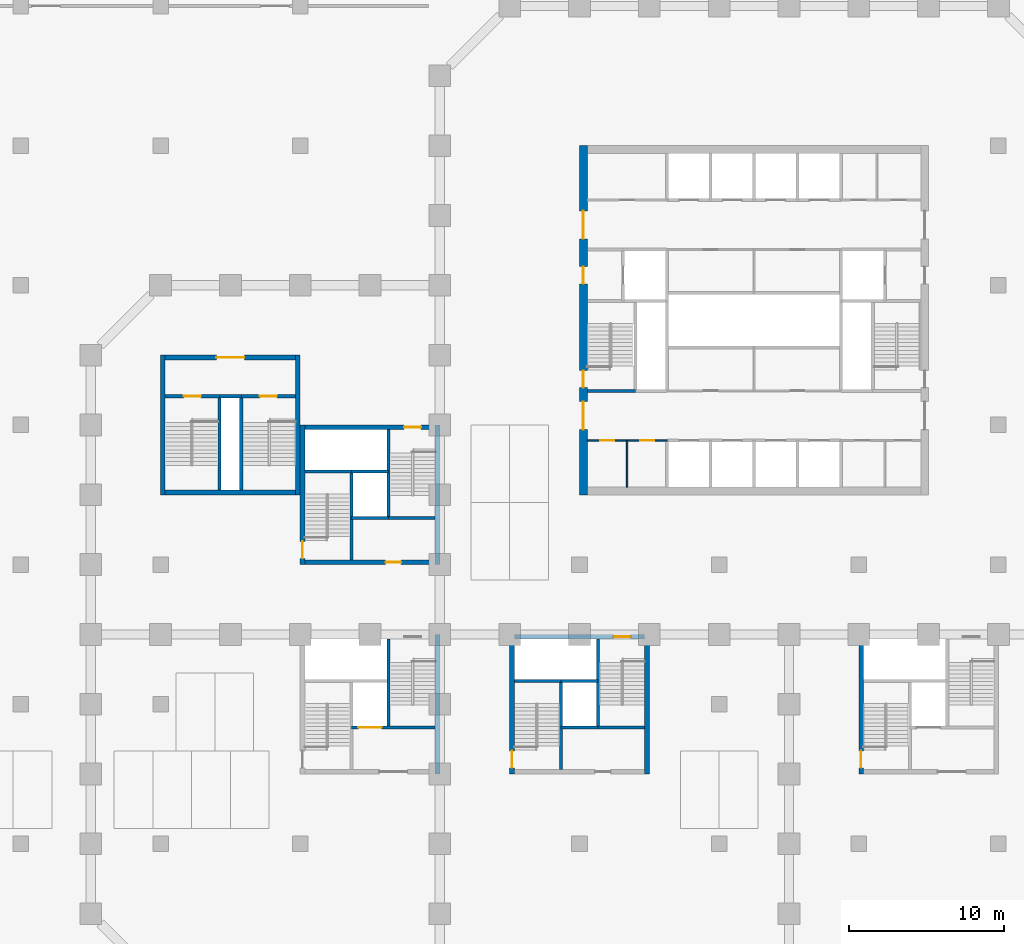
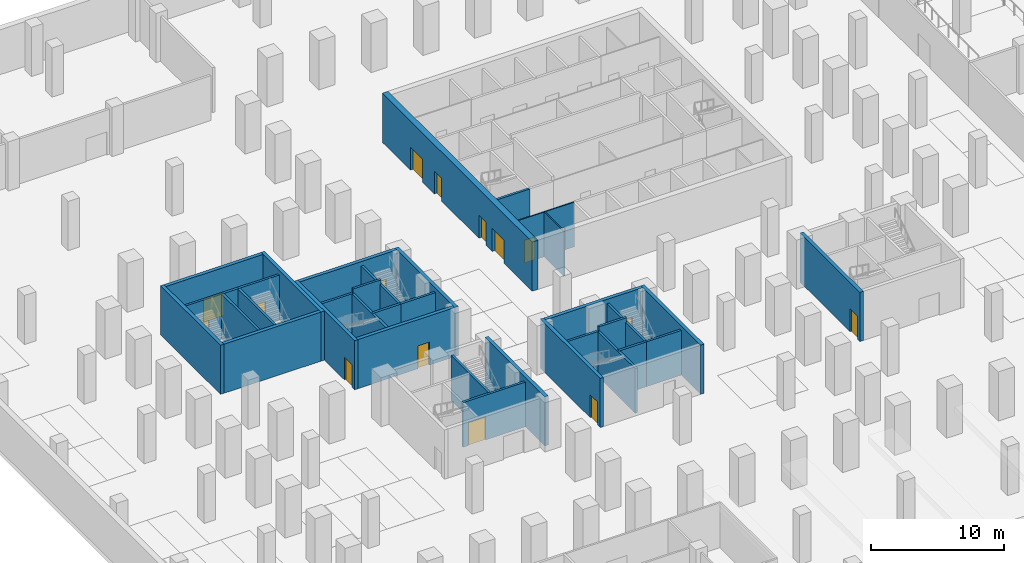
# One storey, part 8 of 16: 36 walls, 16 doors, 16 openings.
"""IFC4 building model written with IfcOpenShell, lengths in metres."""

from ifc_helpers import new_model, si_unit, direction, frame, frame_2d, origin, place, context, subcontext, project, spatial, rectangle, extrude, material, layer, layer_set, type_object, element, fill, save


model = new_model("IFC4")

# Units and contexts
model_context = context("Model", 3, precision=1e-05, world=origin(), true_north=direction((0.0, 1.0)))
body_context = subcontext(model_context, "Body", "Model", "MODEL_VIEW")
ifc_project = project(units=[si_unit("LENGTHUNIT", "METRE"), si_unit("AREAUNIT", "SQUARE_METRE"), si_unit("VOLUMEUNIT", "CUBIC_METRE"), si_unit("PLANEANGLEUNIT", "RADIAN"), si_unit("MASSUNIT", "GRAM", prefix="KILO")], contexts=[model_context])

# Site, building, storey
site_placement = place(None, origin())
site = spatial("IfcSite", under=ifc_project, at=site_placement, CompositionType="ELEMENT")
building_placement = place(site_placement, origin())
building = spatial("IfcBuilding", under=site, at=building_placement, Name="Quoin Convention Tower", CompositionType="ELEMENT")
storey_placement = place(building_placement, frame((0.0, 0.0, -4.5)))
storey = spatial("IfcBuildingStorey", under=building, at=storey_placement, Name="B1", CompositionType="ELEMENT", Elevation=-4.5)

# Wall, openings, doors
ifc_material_1 = material(Name="Plasterboard")
ifc_layer_1 = layer(ifc_material_1, 0.012451171875, Name="Finish")
ifc_material_2 = material(Name="Steel stud framing", Category="steel")
ifc_layer_2 = layer(ifc_material_2, 0.074951171875, Name="Structure")
ifc_layer_3 = layer(ifc_material_1, 0.012451171875, Name="Finish")
ifc_layer_set_1 = layer_set([ifc_layer_1, ifc_layer_2, ifc_layer_3], Name="Steel stud framing")
wall_type_1 = type_object("IfcWallType", Name="Core partition wall", PredefinedType="PARTITIONING", material=ifc_layer_set_1)
wall_1_placement = place(storey_placement, frame((45.5, 53.0, 0.0), z_axis=(0.0, 0.0, 1.0), x_axis=(1.0, 0.0, 0.0)))
wall_1 = element("IfcWall", 1, at=wall_1_placement, inside=storey, type_object=wall_type_1, Name="cr-C1-B1-h3500_500", PredefinedType="PARTITIONING", context=body_context, shape_type="SweptSolid", body=[
    extrude(rectangle(XDim=5.14990234375, YDim=0.10009765625, at=frame_2d((2.574951171875, 0.0))), origin(), (0.0, 0.0, 1.0), 4.10009765625),
])
opening_1_placement = place(wall_1_placement, frame((0.83740234375, 0.0, 0.0)))
opening_1 = element("IfcOpeningElement", 2, at=opening_1_placement, cuts=wall_1, Name="Opening DCV0-49", PredefinedType="OPENING", context=body_context, shape_type="SweptSolid", body=[
    extrude(rectangle(XDim=0.89990234375, YDim=2.10009765625, at=frame_2d((0.449951171875, 1.050048828125))), frame((0.0, 0.06005859375, 0.0), z_axis=(0.0, -1.0, 0.0), x_axis=(1.0, 0.0, 0.0)), (0.0, 0.0, 1.0), 0.1201171875),
])
opening_2_placement = place(wall_1_placement, frame((3.41259765625, 0.0, 0.0)))
opening_2 = element("IfcOpeningElement", 3, at=opening_2_placement, cuts=wall_1, Name="Opening DCV0-50", PredefinedType="OPENING", context=body_context, shape_type="SweptSolid", body=[
    extrude(rectangle(XDim=0.89990234375, YDim=2.10009765625, at=frame_2d((0.449951171875, 1.050048828125))), frame((0.0, 0.06005859375, 0.0), z_axis=(0.0, -1.0, 0.0), x_axis=(1.0, 0.0, 0.0)), (0.0, 0.0, 1.0), 0.1201171875),
])
ifc_material_3 = material(Name="Steel door leaf", Category="steel")
door_type_1 = type_object("IfcDoorType", Name="Core room door 900 x 2100", OperationType="SINGLE_SWING_LEFT", PredefinedType="DOOR", material=ifc_material_3)
door_1_placement = place(opening_1_placement, frame((0.89990234375, 0.0, 0.0), z_axis=(0.0, 0.0, 1.0), x_axis=(-1.0, 0.0, 0.0)))
door_1 = element("IfcDoor", 4, at=door_1_placement, inside=storey, type_object=door_type_1, Name="cd-C1-B1-CSW0-lobA-CDB112", OperationType="SINGLE_SWING_LEFT", OverallHeight=2.10009765625, OverallWidth=0.89990234375, PredefinedType="DOOR", context=body_context, shape_type="SweptSolid", body=[
    extrude(rectangle(XDim=0.89990234375, YDim=2.10009765625, at=frame_2d((0.449951171875, 1.050048828125))), frame((0.0, 0.02490234375, 0.0), z_axis=(0.0, -1.0, 0.0), x_axis=(1.0, 0.0, 0.0)), (0.0, 0.0, 1.0), 0.050048828125),
])
fill(opening_1, door_1)
door_2_placement = place(opening_2_placement, frame((0.89990234375, 0.0, 0.0), z_axis=(0.0, 0.0, 1.0), x_axis=(-1.0, 0.0, 0.0)))
door_2 = element("IfcDoor", 5, at=door_2_placement, inside=storey, type_object=door_type_1, Name="cd-C1-B1-CSW1-lobA-CDB113", OperationType="SINGLE_SWING_LEFT", OverallHeight=2.10009765625, OverallWidth=0.89990234375, PredefinedType="DOOR", context=body_context, shape_type="SweptSolid", body=[
    extrude(rectangle(XDim=0.89990234375, YDim=2.10009765625, at=frame_2d((0.449951171875, 1.050048828125))), frame((0.0, 0.02490234375, 0.0), z_axis=(0.0, -1.0, 0.0), x_axis=(1.0, 0.0, 0.0)), (0.0, 0.0, 1.0), 0.050048828125),
])
fill(opening_2, door_2)

# Walls
wall_2_placement = place(storey_placement, frame((48.074951171875, 50.0, 0.0), z_axis=(0.0, 0.0, 1.0), x_axis=(0.0, 1.0, 0.0)))
element("IfcWall", 6, at=wall_2_placement, inside=storey, type_object=wall_type_1, Name="cr-C1-B1-v3075_500", PredefinedType="PARTITIONING", context=body_context, shape_type="SweptSolid", body=[
    extrude(rectangle(XDim=3.0, YDim=0.10009765625, at=frame_2d((1.5, 0.0))), origin(), (0.0, 0.0, 1.0), 4.10009765625),
])
ifc_material_4 = material(Name="Concrete C50", Category="concrete")
ifc_layer_4 = layer(ifc_material_4, 0.199951171875)
ifc_layer_set_2 = layer_set([ifc_layer_4], Name="Concrete C50")
wall_type_2 = type_object("IfcWallType", Name="Core shaft wall", PredefinedType="SOLIDWALL", material=ifc_layer_set_2)
wall_3_placement = place(storey_placement, frame((45.5, 56.199951171875, 0.0), z_axis=(0.0, 0.0, 1.0), x_axis=(1.0, 0.0, 0.0)))
element("IfcWall", 7, at=wall_3_placement, inside=storey, type_object=wall_type_2, Name="cr-C1-B1-h6700_500", PredefinedType="SOLIDWALL", context=body_context, shape_type="SweptSolid", body=[
    extrude(rectangle(XDim=3.10009765625, YDim=0.199951171875, at=frame_2d((1.550048828125, 0.0))), origin(), (0.0, 0.0, 1.0), 4.10009765625),
])
wall_4_placement = place(storey_placement, frame((30.300048828125, 48.0, 0.0), z_axis=(0.0, 0.0, 1.0), x_axis=(1.0, 0.0, 0.0)))
element("IfcWall", 8, at=wall_4_placement, inside=storey, type_object=wall_type_2, Name="cr-P2-B1-h3000_3300", PredefinedType="SOLIDWALL", context=body_context, shape_type="SweptSolid", body=[
    extrude(rectangle(XDim=2.39990234375, YDim=0.199951171875, at=frame_2d((1.199951171875, 0.0))), origin(), (0.0, 0.0, 1.0), 4.10009765625),
])
for number, where, z_axis, x_axis, name in (
    (9, (32.699951171875, 48.0, 0.0), (0.0, 0.0, 1.0), (1.0, 0.0, 0.0), "cr-P2-B1-h3000_5700"),
    (10, (27.300048828125, 51.0, 0.0), (0.0, 0.0, 1.0), (1.0, 0.0, 0.0), "cr-P2-B1-h6000_300"),
):
    element("IfcWall", number, at=place(storey_placement, frame(where, z_axis=z_axis, x_axis=x_axis)), inside=storey, type_object=wall_type_2, Name=name, PredefinedType="SOLIDWALL", context=body_context, shape_type="SweptSolid", body=[
        extrude(rectangle(XDim=3.0, YDim=0.199951171875, at=frame_2d((1.5, 0.0))), origin(), (0.0, 0.0, 1.0), 4.10009765625),
    ])
for number, where, z_axis, x_axis, name in (
    (11, (30.300048828125, 45.300048828125, 0.0), (0.0, 0.0, 1.0), (0.0, 1.0, 0.0), "cr-P2-B1-v3300_300"),
    (12, (32.699951171875, 48.0, 0.0), (0.0, 0.0, 1.0), (0.0, 1.0, 0.0), "cr-P2-B1-v5700_3000"),
):
    element("IfcWall", number, at=place(storey_placement, frame(where, z_axis=z_axis, x_axis=x_axis)), inside=storey, type_object=wall_type_2, Name=name, PredefinedType="SOLIDWALL", context=body_context, shape_type="SweptSolid", body=[
        extrude(rectangle(XDim=5.699951171875, YDim=0.199951171875, at=frame_2d((2.85009765625, 0.0))), origin(), (0.0, 0.0, 1.0), 4.10009765625),
    ])
wall_5_placement = place(storey_placement, frame((43.800048828125, 34.5, 0.0), z_axis=(0.0, 0.0, 1.0), x_axis=(1.0, 0.0, 0.0)))
element("IfcWall", 13, at=wall_5_placement, inside=storey, type_object=wall_type_2, Name="cr-P3-B1-h3000_3300", PredefinedType="SOLIDWALL", context=body_context, shape_type="SweptSolid", body=[
    extrude(rectangle(XDim=2.39990234375, YDim=0.199951171875, at=frame_2d((1.199951171875, 0.0))), origin(), (0.0, 0.0, 1.0), 4.10009765625),
])
for number, where, z_axis, x_axis, name in (
    (14, (46.199951171875, 34.5, 0.0), (0.0, 0.0, 1.0), (1.0, 0.0, 0.0), "cr-P3-B1-h3000_5700"),
    (15, (40.800048828125, 37.5, 0.0), (0.0, 0.0, 1.0), (1.0, 0.0, 0.0), "cr-P3-B1-h6000_300"),
):
    element("IfcWall", number, at=place(storey_placement, frame(where, z_axis=z_axis, x_axis=x_axis)), inside=storey, type_object=wall_type_2, Name=name, PredefinedType="SOLIDWALL", context=body_context, shape_type="SweptSolid", body=[
        extrude(rectangle(XDim=3.0, YDim=0.199951171875, at=frame_2d((1.5, 0.0))), origin(), (0.0, 0.0, 1.0), 4.10009765625),
    ])
for number, where, z_axis, x_axis, name in (
    (16, (43.800048828125, 31.800048828125, 0.0), (0.0, 0.0, 1.0), (0.0, 1.0, 0.0), "cr-P3-B1-v3300_300"),
    (17, (46.199951171875, 34.5, 0.0), (0.0, 0.0, 1.0), (0.0, 1.0, 0.0), "cr-P3-B1-v5700_3000"),
):
    element("IfcWall", number, at=place(storey_placement, frame(where, z_axis=z_axis, x_axis=x_axis)), inside=storey, type_object=wall_type_2, Name=name, PredefinedType="SOLIDWALL", context=body_context, shape_type="SweptSolid", body=[
        extrude(rectangle(XDim=5.699951171875, YDim=0.199951171875, at=frame_2d((2.85009765625, 0.0))), origin(), (0.0, 0.0, 1.0), 4.10009765625),
    ])

# Wall, opening, door
wall_6_placement = place(storey_placement, frame((30.300048828125, 34.5, 0.0), z_axis=(0.0, 0.0, 1.0), x_axis=(1.0, 0.0, 0.0)))
wall_6 = element("IfcWall", 18, at=wall_6_placement, inside=storey, type_object=wall_type_2, Name="cr-P4-B1-h3000_3300", PredefinedType="SOLIDWALL", context=body_context, shape_type="SweptSolid", body=[
    extrude(rectangle(XDim=5.39990234375, YDim=0.199951171875, at=frame_2d((2.699951171875, 0.0))), origin(), (0.0, 0.0, 1.0), 4.10009765625),
])
opening_3_placement = place(wall_6_placement, frame((0.449951171875, 0.0, 0.0)))
opening_3 = element("IfcOpeningElement", 19, at=opening_3_placement, cuts=wall_6, Name="Opening LDGL1", PredefinedType="OPENING", context=body_context, shape_type="SweptSolid", body=[
    extrude(rectangle(XDim=1.5, YDim=2.10009765625, at=frame_2d((0.75, 1.050048828125))), frame((0.0, 0.10986328125, 0.0), z_axis=(0.0, -1.0, 0.0), x_axis=(1.0, 0.0, 0.0)), (0.0, 0.0, 1.0), 0.219970703125),
])
door_type_2 = type_object("IfcDoorType", Name="Lift landing door 1500 x 2100", OperationType="DOUBLE_DOOR_SLIDING", PredefinedType="DOOR", material=ifc_material_3)
door_3_placement = place(opening_3_placement, origin())
door_3 = element("IfcDoor", 20, at=door_3_placement, inside=storey, type_object=door_type_2, Name="cd-P4-B1-CEN-R2-LDGL1", OperationType="DOUBLE_DOOR_SLIDING", OverallHeight=2.10009765625, OverallWidth=1.5, PredefinedType="DOOR", context=body_context, shape_type="SweptSolid", body=[
    extrude(rectangle(XDim=1.5, YDim=2.10009765625, at=frame_2d((0.75, 1.050048828125))), frame((0.0, 0.02490234375, 0.0), z_axis=(0.0, -1.0, 0.0), x_axis=(1.0, 0.0, 0.0)), (0.0, 0.0, 1.0), 0.050048828125),
])
fill(opening_3, door_3)

# Walls
wall_7_placement = place(storey_placement, frame((32.699951171875, 34.5, 0.0), z_axis=(0.0, 0.0, 1.0), x_axis=(0.0, 1.0, 0.0)))
element("IfcWall", 21, at=wall_7_placement, inside=storey, type_object=wall_type_2, Name="cr-P4-B1-v5700_3000", PredefinedType="SOLIDWALL", context=body_context, shape_type="SweptSolid", body=[
    extrude(rectangle(XDim=5.699951171875, YDim=0.199951171875, at=frame_2d((2.85009765625, 0.0))), origin(), (0.0, 0.0, 1.0), 4.10009765625),
])
wall_8_placement = place(storey_placement, frame((21.800048828125, 55.85009765625, 0.0), z_axis=(0.0, 0.0, 1.0), x_axis=(1.0, 0.0, 0.0)))
element("IfcWall", 22, at=wall_8_placement, inside=storey, type_object=wall_type_2, Name="cr-P6-B1-h6350_3800", PredefinedType="SOLIDWALL", context=body_context, shape_type="SweptSolid", body=[
    extrude(rectangle(XDim=1.39990234375, YDim=0.199951171875, at=frame_2d((0.699951171875, 0.0))), origin(), (0.0, 0.0, 1.0), 4.10009765625),
])

# Wall, opening, door
wall_9_placement = place(storey_placement, frame((18.300048828125, 55.85009765625, 0.0), z_axis=(0.0, 0.0, 1.0), x_axis=(1.0, 0.0, 0.0)))
wall_9 = element("IfcWall", 23, at=wall_9_placement, inside=storey, type_object=wall_type_2, Name="cr-P6-B1-h6350_300", PredefinedType="SOLIDWALL", context=body_context, shape_type="SweptSolid", body=[
    extrude(rectangle(XDim=3.5, YDim=0.199951171875, at=frame_2d((1.75, 0.0))), origin(), (0.0, 0.0, 1.0), 4.10009765625),
])
opening_4_placement = place(wall_9_placement, frame((1.199951171875, 0.0, 0.0)))
opening_4 = element("IfcOpeningElement", 24, at=opening_4_placement, cuts=wall_9, Name="Opening SD11", PredefinedType="OPENING", context=body_context, shape_type="SweptSolid", body=[
    extrude(rectangle(XDim=1.10009765625, YDim=2.10009765625, at=frame_2d((0.550048828125, 1.050048828125))), frame((0.0, 0.10986328125, 0.0), z_axis=(0.0, -1.0, 0.0), x_axis=(1.0, 0.0, 0.0)), (0.0, 0.0, 1.0), 0.219970703125),
])
door_type_3 = type_object("IfcDoorType", Name="Stair door 1100 x 2100", OperationType="SINGLE_SWING_RIGHT", PredefinedType="DOOR", material=ifc_material_3)
door_4_placement = place(opening_4_placement, origin())
door_4 = element("IfcDoor", 25, at=door_4_placement, inside=storey, type_object=door_type_3, Name="cd-P6-B1-SA-R2-SD11", OperationType="SINGLE_SWING_RIGHT", OverallHeight=2.10009765625, OverallWidth=1.10009765625, PredefinedType="DOOR", context=body_context, shape_type="SweptSolid", body=[
    extrude(rectangle(XDim=1.10009765625, YDim=2.10009765625, at=frame_2d((0.550048828125, 1.050048828125))), frame((0.0, 0.02490234375, 0.0), z_axis=(0.0, -1.0, 0.0), x_axis=(1.0, 0.0, 0.0)), (0.0, 0.0, 1.0), 0.050048828125),
])
fill(opening_4, door_4)

wall_10_placement = place(storey_placement, frame((23.199951171875, 55.85009765625, 0.0), z_axis=(0.0, 0.0, 1.0), x_axis=(1.0, 0.0, 0.0)))
wall_10 = element("IfcWall", 26, at=wall_10_placement, inside=storey, type_object=wall_type_2, Name="cr-P6-B1-h6350_5200", PredefinedType="SOLIDWALL", context=body_context, shape_type="SweptSolid", body=[
    extrude(rectangle(XDim=3.5, YDim=0.199951171875, at=frame_2d((1.75, 0.0))), origin(), (0.0, 0.0, 1.0), 4.10009765625),
])
opening_5_placement = place(wall_10_placement, frame((1.199951171875, 0.0, 0.0)))
opening_5 = element("IfcOpeningElement", 27, at=opening_5_placement, cuts=wall_10, Name="Opening SD12", PredefinedType="OPENING", context=body_context, shape_type="SweptSolid", body=[
    extrude(rectangle(XDim=1.10009765625, YDim=2.10009765625, at=frame_2d((0.550048828125, 1.050048828125))), frame((0.0, 0.10986328125, 0.0), z_axis=(0.0, -1.0, 0.0), x_axis=(1.0, 0.0, 0.0)), (0.0, 0.0, 1.0), 0.219970703125),
])
door_5_placement = place(opening_5_placement, origin())
door_5 = element("IfcDoor", 28, at=door_5_placement, inside=storey, type_object=door_type_3, Name="cd-P6-B1-SB-R2-SD12", OperationType="SINGLE_SWING_RIGHT", OverallHeight=2.10009765625, OverallWidth=1.10009765625, PredefinedType="DOOR", context=body_context, shape_type="SweptSolid", body=[
    extrude(rectangle(XDim=1.10009765625, YDim=2.10009765625, at=frame_2d((0.550048828125, 1.050048828125))), frame((0.0, 0.02490234375, 0.0), z_axis=(0.0, -1.0, 0.0), x_axis=(1.0, 0.0, 0.0)), (0.0, 0.0, 1.0), 0.050048828125),
])
fill(opening_5, door_5)

# Walls
for number, where, z_axis, x_axis, name in (
    (29, (21.800048828125, 49.800048828125, 0.0), (0.0, 0.0, 1.0), (0.0, 1.0, 0.0), "cr-P6-B1-v3800_300"),
    (30, (23.199951171875, 49.800048828125, 0.0), (0.0, 0.0, 1.0), (0.0, 1.0, 0.0), "cr-P6-B1-v5200_300"),
):
    element("IfcWall", number, at=place(storey_placement, frame(where, z_axis=z_axis, x_axis=x_axis)), inside=storey, type_object=wall_type_2, Name=name, PredefinedType="SOLIDWALL", context=body_context, shape_type="SweptSolid", body=[
        extrude(rectangle(XDim=6.050048828125, YDim=0.199951171875, at=frame_2d((3.02490234375, 0.0))), origin(), (0.0, 0.0, 1.0), 4.10009765625),
    ])
ifc_layer_5 = layer(ifc_material_4, 0.199951171875)
ifc_layer_set_3 = layer_set([ifc_layer_5], Name="Concrete C50")
wall_type_3 = type_object("IfcWallType", Name="Core shaft wall to the floor level over", PredefinedType="SOLIDWALL", material=ifc_layer_set_3)
for number, where, z_axis, x_axis, name in (
    (31, (30.300048828125, 51.0, 0.0), (0.0, 0.0, 1.0), (1.0, 0.0, 0.0), "cr-P2-B1-h6000_3300"),
    (32, (43.800048828125, 37.5, 0.0), (0.0, 0.0, 1.0), (1.0, 0.0, 0.0), "cr-P3-B1-h6000_3300"),
):
    element("IfcWall", number, at=place(storey_placement, frame(where, z_axis=z_axis, x_axis=x_axis)), inside=storey, type_object=wall_type_3, Name=name, PredefinedType="SOLIDWALL", context=body_context, shape_type="SweptSolid", body=[
        extrude(rectangle(XDim=2.39990234375, YDim=0.199951171875, at=frame_2d((1.199951171875, 0.0))), origin(), (0.0, 0.0, 1.0), 4.5),
    ])

# Wall, opening, door
ifc_material_5 = material(Name="Concrete C100 (100 MPa)", Category="concrete")
ifc_layer_6 = layer(ifc_material_5, 0.300048828125)
ifc_layer_set_4 = layer_set([ifc_layer_6], Name="Concrete C100 (100 MPa)")
wall_type_4 = type_object("IfcWallType", Name="RC CORE WALL 300 C100", PredefinedType="SHEAR", material=ifc_layer_set_4)
wall_11_placement = place(storey_placement, frame((27.300048828125, 45.14990234375, 0.0), z_axis=(0.0, 0.0, 1.0), x_axis=(1.0, 0.0, 0.0)))
wall_11 = element("IfcWall", 33, at=wall_11_placement, inside=storey, type_object=wall_type_4, Name="cwl-P2-B1-S", PredefinedType="SHEAR", context=body_context, shape_type="SweptSolid", body=[
    extrude(rectangle(XDim=8.39990234375, YDim=0.300048828125, at=frame_2d((4.199951171875, 0.0))), origin(), (0.0, 0.0, 1.0), 4.5),
])
opening_6_placement = place(wall_11_placement, frame((5.199951171875, 0.0, 0.0)))
opening_6 = element("IfcOpeningElement", 34, at=opening_6_placement, cuts=wall_11, Name="Opening DCV0-60", PredefinedType="OPENING", context=body_context, shape_type="SweptSolid", body=[
    extrude(rectangle(XDim=1.0, YDim=2.10009765625, at=frame_2d((0.5, 1.050048828125))), frame((0.0, 0.159912109375, 0.0), z_axis=(0.0, -1.0, 0.0), x_axis=(1.0, 0.0, 0.0)), (0.0, 0.0, 1.0), 0.320068359375),
])
door_type_4 = type_object("IfcDoorType", Name="Service door 1000 x 2100", OperationType="SINGLE_SWING_LEFT", PredefinedType="DOOR", material=ifc_material_3)
door_6_placement = place(opening_6_placement, frame((1.0, 0.0, 0.0), z_axis=(0.0, 0.0, 1.0), x_axis=(-1.0, 0.0, 0.0)))
door_6 = element("IfcDoor", 35, at=door_6_placement, inside=storey, type_object=door_type_4, Name="cd-P2-B1-R2-S", OperationType="SINGLE_SWING_LEFT", OverallHeight=2.10009765625, OverallWidth=1.0, PredefinedType="DOOR", context=body_context, shape_type="SweptSolid", body=[
    extrude(rectangle(XDim=1.0, YDim=2.10009765625, at=frame_2d((0.5, 1.050048828125))), frame((0.0, 0.02490234375, 0.0), z_axis=(0.0, -1.0, 0.0), x_axis=(1.0, 0.0, 0.0)), (0.0, 0.0, 1.0), 0.050048828125),
])
fill(opening_6, door_6)

wall_12_placement = place(storey_placement, frame((27.300048828125, 53.85009765625, 0.0), z_axis=(0.0, 0.0, 1.0), x_axis=(1.0, 0.0, 0.0)))
wall_12 = element("IfcWall", 36, at=wall_12_placement, inside=storey, type_object=wall_type_4, Name="cwl-P2-B1-N", PredefinedType="SHEAR", context=body_context, shape_type="SweptSolid", body=[
    extrude(rectangle(XDim=8.39990234375, YDim=0.300048828125, at=frame_2d((4.199951171875, 0.0))), origin(), (0.0, 0.0, 1.0), 4.5),
])
opening_7_placement = place(wall_12_placement, frame((6.39990234375, 0.0, 0.0)))
opening_7 = element("IfcOpeningElement", 37, at=opening_7_placement, cuts=wall_12, Name="Opening SD4", PredefinedType="OPENING", context=body_context, shape_type="SweptSolid", body=[
    extrude(rectangle(XDim=1.10009765625, YDim=2.10009765625, at=frame_2d((0.550048828125, 1.050048828125))), frame((0.0, 0.159912109375, 0.0), z_axis=(0.0, -1.0, 0.0), x_axis=(1.0, 0.0, 0.0)), (0.0, 0.0, 1.0), 0.320068359375),
])
door_7_placement = place(opening_7_placement, frame((1.10009765625, 0.0, 0.0), z_axis=(0.0, 0.0, 1.0), x_axis=(-1.0, 0.0, 0.0)))
door_7 = element("IfcDoor", 38, at=door_7_placement, inside=storey, type_object=door_type_3, Name="cd-P2-B1-SB-N", OperationType="SINGLE_SWING_LEFT", OverallHeight=2.10009765625, OverallWidth=1.10009765625, PredefinedType="DOOR", context=body_context, shape_type="SweptSolid", body=[
    extrude(rectangle(XDim=1.10009765625, YDim=2.10009765625, at=frame_2d((0.550048828125, 1.050048828125))), frame((0.0, 0.02490234375, 0.0), z_axis=(0.0, -1.0, 0.0), x_axis=(1.0, 0.0, 0.0)), (0.0, 0.0, 1.0), 0.050048828125),
])
fill(opening_7, door_7)

wall_13_placement = place(storey_placement, frame((27.14990234375, 45.0, 0.0), z_axis=(0.0, 0.0, 1.0), x_axis=(0.0, 1.0, 0.0)))
wall_13 = element("IfcWall", 39, at=wall_13_placement, inside=storey, type_object=wall_type_4, Name="cwl-P2-B1-W", PredefinedType="SHEAR", context=body_context, shape_type="SweptSolid", body=[
    extrude(rectangle(XDim=9.0, YDim=0.300048828125, at=frame_2d((4.5, 0.0))), origin(), (0.0, 0.0, 1.0), 4.5),
])
opening_8_placement = place(wall_13_placement, frame((0.39990234375, 0.0, 0.0)))
opening_8 = element("IfcOpeningElement", 40, at=opening_8_placement, cuts=wall_13, Name="Opening SD3", PredefinedType="OPENING", context=body_context, shape_type="SweptSolid", body=[
    extrude(rectangle(XDim=1.10009765625, YDim=2.10009765625, at=frame_2d((0.550048828125, 1.050048828125))), frame((0.0, 0.159912109375, 0.0), z_axis=(0.0, -1.0, 0.0), x_axis=(1.0, 0.0, 0.0)), (0.0, 0.0, 1.0), 0.320068359375),
])
door_8_placement = place(opening_8_placement, frame((1.10009765625, 0.0, 0.0), z_axis=(0.0, 0.0, 1.0), x_axis=(-1.0, 0.0, 0.0)))
door_8 = element("IfcDoor", 41, at=door_8_placement, inside=storey, type_object=door_type_3, Name="cd-P2-B1-SA-W", OperationType="SINGLE_SWING_RIGHT", OverallHeight=2.10009765625, OverallWidth=1.10009765625, PredefinedType="DOOR", context=body_context, shape_type="SweptSolid", body=[
    extrude(rectangle(XDim=1.10009765625, YDim=2.10009765625, at=frame_2d((0.550048828125, 1.050048828125))), frame((0.0, 0.02490234375, 0.0), z_axis=(0.0, -1.0, 0.0), x_axis=(1.0, 0.0, 0.0)), (0.0, 0.0, 1.0), 0.050048828125),
])
fill(opening_8, door_8)

# Wall
wall_14_placement = place(storey_placement, frame((35.85009765625, 45.0, 0.0), z_axis=(0.0, 0.0, 1.0), x_axis=(0.0, 1.0, 0.0)))
element("IfcWall", 42, at=wall_14_placement, inside=storey, type_object=wall_type_4, Name="cwl-P2-B1-E", PredefinedType="SHEAR", context=body_context, shape_type="SweptSolid", body=[
    extrude(rectangle(XDim=9.0, YDim=0.300048828125, at=frame_2d((4.5, 0.0))), origin(), (0.0, 0.0, 1.0), 4.5),
])

# Wall, opening, door
wall_15_placement = place(storey_placement, frame((40.800048828125, 40.35009765625, 0.0), z_axis=(0.0, 0.0, 1.0), x_axis=(1.0, 0.0, 0.0)))
wall_15 = element("IfcWall", 43, at=wall_15_placement, inside=storey, type_object=wall_type_4, Name="cwl-P3-B1-N", PredefinedType="SHEAR", context=body_context, shape_type="SweptSolid", body=[
    extrude(rectangle(XDim=8.39990234375, YDim=0.300048828125, at=frame_2d((4.199951171875, 0.0))), origin(), (0.0, 0.0, 1.0), 4.5),
])
opening_9_placement = place(wall_15_placement, frame((6.39990234375, 0.0, 0.0)))
opening_9 = element("IfcOpeningElement", 44, at=opening_9_placement, cuts=wall_15, Name="Opening SD6", PredefinedType="OPENING", context=body_context, shape_type="SweptSolid", body=[
    extrude(rectangle(XDim=1.10009765625, YDim=2.10009765625, at=frame_2d((0.550048828125, 1.050048828125))), frame((0.0, 0.159912109375, 0.0), z_axis=(0.0, -1.0, 0.0), x_axis=(1.0, 0.0, 0.0)), (0.0, 0.0, 1.0), 0.320068359375),
])
door_9_placement = place(opening_9_placement, frame((1.10009765625, 0.0, 0.0), z_axis=(0.0, 0.0, 1.0), x_axis=(-1.0, 0.0, 0.0)))
door_9 = element("IfcDoor", 45, at=door_9_placement, inside=storey, type_object=door_type_3, Name="cd-P3-B1-SB-N", OperationType="SINGLE_SWING_LEFT", OverallHeight=2.10009765625, OverallWidth=1.10009765625, PredefinedType="DOOR", context=body_context, shape_type="SweptSolid", body=[
    extrude(rectangle(XDim=1.10009765625, YDim=2.10009765625, at=frame_2d((0.550048828125, 1.050048828125))), frame((0.0, 0.02490234375, 0.0), z_axis=(0.0, -1.0, 0.0), x_axis=(1.0, 0.0, 0.0)), (0.0, 0.0, 1.0), 0.050048828125),
])
fill(opening_9, door_9)

wall_16_placement = place(storey_placement, frame((40.64990234375, 31.5, 0.0), z_axis=(0.0, 0.0, 1.0), x_axis=(0.0, 1.0, 0.0)))
wall_16 = element("IfcWall", 46, at=wall_16_placement, inside=storey, type_object=wall_type_4, Name="cwl-P3-B1-W", PredefinedType="SHEAR", context=body_context, shape_type="SweptSolid", body=[
    extrude(rectangle(XDim=9.0, YDim=0.300048828125, at=frame_2d((4.5, 0.0))), origin(), (0.0, 0.0, 1.0), 4.5),
])
opening_10_placement = place(wall_16_placement, frame((0.39990234375, 0.0, 0.0)))
opening_10 = element("IfcOpeningElement", 47, at=opening_10_placement, cuts=wall_16, Name="Opening SD5", PredefinedType="OPENING", context=body_context, shape_type="SweptSolid", body=[
    extrude(rectangle(XDim=1.10009765625, YDim=2.10009765625, at=frame_2d((0.550048828125, 1.050048828125))), frame((0.0, 0.159912109375, 0.0), z_axis=(0.0, -1.0, 0.0), x_axis=(1.0, 0.0, 0.0)), (0.0, 0.0, 1.0), 0.320068359375),
])
door_10_placement = place(opening_10_placement, frame((1.10009765625, 0.0, 0.0), z_axis=(0.0, 0.0, 1.0), x_axis=(-1.0, 0.0, 0.0)))
door_10 = element("IfcDoor", 48, at=door_10_placement, inside=storey, type_object=door_type_3, Name="cd-P3-B1-SA-W", OperationType="SINGLE_SWING_RIGHT", OverallHeight=2.10009765625, OverallWidth=1.10009765625, PredefinedType="DOOR", context=body_context, shape_type="SweptSolid", body=[
    extrude(rectangle(XDim=1.10009765625, YDim=2.10009765625, at=frame_2d((0.550048828125, 1.050048828125))), frame((0.0, 0.02490234375, 0.0), z_axis=(0.0, -1.0, 0.0), x_axis=(1.0, 0.0, 0.0)), (0.0, 0.0, 1.0), 0.050048828125),
])
fill(opening_10, door_10)

# Walls
for number, where, z_axis, x_axis, name in (
    (49, (49.35009765625, 31.5, 0.0), (0.0, 0.0, 1.0), (0.0, 1.0, 0.0), "cwl-P3-B1-E"),
    (50, (35.85009765625, 31.5, 0.0), (0.0, 0.0, 1.0), (0.0, 1.0, 0.0), "cwl-P4-B1-E"),
):
    element("IfcWall", number, at=place(storey_placement, frame(where, z_axis=z_axis, x_axis=x_axis)), inside=storey, type_object=wall_type_4, Name=name, PredefinedType="SHEAR", context=body_context, shape_type="SweptSolid", body=[
        extrude(rectangle(XDim=9.0, YDim=0.300048828125, at=frame_2d((4.5, 0.0))), origin(), (0.0, 0.0, 1.0), 4.5),
    ])

# Wall, opening, door
wall_17_placement = place(storey_placement, frame((63.14990234375, 31.5, 0.0), z_axis=(0.0, 0.0, 1.0), x_axis=(0.0, 1.0, 0.0)))
wall_17 = element("IfcWall", 51, at=wall_17_placement, inside=storey, type_object=wall_type_4, Name="cwl-P5-B1-W", PredefinedType="SHEAR", context=body_context, shape_type="SweptSolid", body=[
    extrude(rectangle(XDim=9.0, YDim=0.300048828125, at=frame_2d((4.5, 0.0))), origin(), (0.0, 0.0, 1.0), 4.5),
])
opening_11_placement = place(wall_17_placement, frame((0.39990234375, 0.0, 0.0)))
opening_11 = element("IfcOpeningElement", 52, at=opening_11_placement, cuts=wall_17, Name="Opening SD9", PredefinedType="OPENING", context=body_context, shape_type="SweptSolid", body=[
    extrude(rectangle(XDim=1.10009765625, YDim=2.10009765625, at=frame_2d((0.550048828125, 1.050048828125))), frame((0.0, 0.159912109375, 0.0), z_axis=(0.0, -1.0, 0.0), x_axis=(1.0, 0.0, 0.0)), (0.0, 0.0, 1.0), 0.320068359375),
])
door_11_placement = place(opening_11_placement, frame((1.10009765625, 0.0, 0.0), z_axis=(0.0, 0.0, 1.0), x_axis=(-1.0, 0.0, 0.0)))
door_11 = element("IfcDoor", 53, at=door_11_placement, inside=storey, type_object=door_type_3, Name="cd-P5-B1-SA-W", OperationType="SINGLE_SWING_RIGHT", OverallHeight=2.10009765625, OverallWidth=1.10009765625, PredefinedType="DOOR", context=body_context, shape_type="SweptSolid", body=[
    extrude(rectangle(XDim=1.10009765625, YDim=2.10009765625, at=frame_2d((0.550048828125, 1.050048828125))), frame((0.0, 0.02490234375, 0.0), z_axis=(0.0, -1.0, 0.0), x_axis=(1.0, 0.0, 0.0)), (0.0, 0.0, 1.0), 0.050048828125),
])
fill(opening_11, door_11)

# Wall
wall_18_placement = place(storey_placement, frame((18.300048828125, 49.64990234375, 0.0), z_axis=(0.0, 0.0, 1.0), x_axis=(1.0, 0.0, 0.0)))
element("IfcWall", 54, at=wall_18_placement, inside=storey, type_object=wall_type_4, Name="cwl-P6-B1-S", PredefinedType="SHEAR", context=body_context, shape_type="SweptSolid", body=[
    extrude(rectangle(XDim=8.39990234375, YDim=0.300048828125, at=frame_2d((4.199951171875, 0.0))), origin(), (0.0, 0.0, 1.0), 4.5),
])

# Wall, opening, door
wall_19_placement = place(storey_placement, frame((18.300048828125, 58.35009765625, 0.0), z_axis=(0.0, 0.0, 1.0), x_axis=(1.0, 0.0, 0.0)))
wall_19 = element("IfcWall", 55, at=wall_19_placement, inside=storey, type_object=wall_type_4, Name="cwl-P6-B1-N", PredefinedType="SHEAR", context=body_context, shape_type="SweptSolid", body=[
    extrude(rectangle(XDim=8.39990234375, YDim=0.300048828125, at=frame_2d((4.199951171875, 0.0))), origin(), (0.0, 0.0, 1.0), 4.5),
])
opening_12_placement = place(wall_19_placement, frame((3.300048828125, 0.0, 0.0)))
opening_12 = element("IfcOpeningElement", 56, at=opening_12_placement, cuts=wall_19, Name="Opening DCV0-65", PredefinedType="OPENING", context=body_context, shape_type="SweptSolid", body=[
    extrude(rectangle(XDim=1.800048828125, YDim=2.10009765625, at=frame_2d((0.89990234375, 1.050048828125))), frame((0.0, 0.159912109375, 0.0), z_axis=(0.0, -1.0, 0.0), x_axis=(1.0, 0.0, 0.0)), (0.0, 0.0, 1.0), 0.320068359375),
])
door_type_5 = type_object("IfcDoorType", Name="Goods lobby door 1800 x 2100", OperationType="SINGLE_SWING_LEFT", PredefinedType="DOOR", material=ifc_material_3)
door_12_placement = place(opening_12_placement, frame((1.800048828125, 0.0, 0.0), z_axis=(0.0, 0.0, 1.0), x_axis=(-1.0, 0.0, 0.0)))
door_12 = element("IfcDoor", 57, at=door_12_placement, inside=storey, type_object=door_type_5, Name="cd-P6-B1-R2-N", OperationType="SINGLE_SWING_LEFT", OverallHeight=2.10009765625, OverallWidth=1.800048828125, PredefinedType="DOOR", context=body_context, shape_type="SweptSolid", body=[
    extrude(rectangle(XDim=1.800048828125, YDim=2.10009765625, at=frame_2d((0.89990234375, 1.050048828125))), frame((0.0, 0.02490234375, 0.0), z_axis=(0.0, -1.0, 0.0), x_axis=(1.0, 0.0, 0.0)), (0.0, 0.0, 1.0), 0.050048828125),
])
fill(opening_12, door_12)

# Walls
for number, where, z_axis, x_axis, name in (
    (58, (18.14990234375, 49.5, 0.0), (0.0, 0.0, 1.0), (0.0, 1.0, 0.0), "cwl-P6-B1-W"),
    (59, (26.85009765625, 49.5, 0.0), (0.0, 0.0, 1.0), (0.0, 1.0, 0.0), "cwl-P6-B1-E"),
):
    element("IfcWall", number, at=place(storey_placement, frame(where, z_axis=z_axis, x_axis=x_axis)), inside=storey, type_object=wall_type_4, Name=name, PredefinedType="SHEAR", context=body_context, shape_type="SweptSolid", body=[
        extrude(rectangle(XDim=9.0, YDim=0.300048828125, at=frame_2d((4.5, 0.0))), origin(), (0.0, 0.0, 1.0), 4.5),
    ])

# Wall, openings, doors
ifc_layer_7 = layer(ifc_material_5, 0.5)
ifc_layer_set_5 = layer_set([ifc_layer_7], Name="Concrete C100 (100 MPa)")
wall_type_5 = type_object("IfcWallType", Name="RC CORE WALL 500 C100", PredefinedType="SHEAR", material=ifc_layer_set_5)
wall_20_placement = place(storey_placement, frame((45.25, 49.5, 0.0), z_axis=(0.0, 0.0, 1.0), x_axis=(0.0, 1.0, 0.0)))
wall_20 = element("IfcWall", 60, at=wall_20_placement, inside=storey, type_object=wall_type_5, Name="cwl-C1-B1-W", PredefinedType="SHEAR", context=body_context, shape_type="SweptSolid", body=[
    extrude(rectangle(XDim=22.5, YDim=0.5, at=frame_2d((11.25, 0.0))), origin(), (0.0, 0.0, 1.0), 4.5),
])
opening_13_placement = place(wall_20_placement, frame((4.199951171875, 0.0, 0.0)))
opening_13 = element("IfcOpeningElement", 61, at=opening_13_placement, cuts=wall_20, Name="Opening DCV0-59", PredefinedType="OPENING", context=body_context, shape_type="SweptSolid", body=[
    extrude(rectangle(XDim=1.800048828125, YDim=2.10009765625, at=frame_2d((0.89990234375, 1.050048828125))), frame((0.0, 0.260009765625, 0.0), z_axis=(0.0, -1.0, 0.0), x_axis=(1.0, 0.0, 0.0)), (0.0, 0.0, 1.0), 0.52001953125),
])
opening_14_placement = place(wall_20_placement, frame((6.89990234375, 0.0, 0.0)))
opening_14 = element("IfcOpeningElement", 62, at=opening_14_placement, cuts=wall_20, Name="Opening SD1", PredefinedType="OPENING", context=body_context, shape_type="SweptSolid", body=[
    extrude(rectangle(XDim=1.10009765625, YDim=2.10009765625, at=frame_2d((0.550048828125, 1.050048828125))), frame((0.0, 0.260009765625, 0.0), z_axis=(0.0, -1.0, 0.0), x_axis=(1.0, 0.0, 0.0)), (0.0, 0.0, 1.0), 0.52001953125),
])
opening_15_placement = place(wall_20_placement, frame((13.60009765625, 0.0, 0.0)))
opening_15 = element("IfcOpeningElement", 63, at=opening_15_placement, cuts=wall_20, Name="Opening DCV0-58", PredefinedType="OPENING", context=body_context, shape_type="SweptSolid", body=[
    extrude(rectangle(XDim=1.10009765625, YDim=2.10009765625, at=frame_2d((0.550048828125, 1.050048828125))), frame((0.0, 0.260009765625, 0.0), z_axis=(0.0, -1.0, 0.0), x_axis=(1.0, 0.0, 0.0)), (0.0, 0.0, 1.0), 0.52001953125),
])
opening_16_placement = place(wall_20_placement, frame((16.5, 0.0, 0.0)))
opening_16 = element("IfcOpeningElement", 64, at=opening_16_placement, cuts=wall_20, Name="Opening DCV0-59", PredefinedType="OPENING", context=body_context, shape_type="SweptSolid", body=[
    extrude(rectangle(XDim=1.800048828125, YDim=2.10009765625, at=frame_2d((0.89990234375, 1.050048828125))), frame((0.0, 0.260009765625, 0.0), z_axis=(0.0, -1.0, 0.0), x_axis=(1.0, 0.0, 0.0)), (0.0, 0.0, 1.0), 0.52001953125),
])
door_type_6 = type_object("IfcDoorType", Name="Fire-fighting lobby door 1100 x 2100", OperationType="SINGLE_SWING_LEFT", PredefinedType="DOOR", material=ifc_material_3)
door_13_placement = place(opening_15_placement, origin())
door_13 = element("IfcDoor", 65, at=door_13_placement, inside=storey, type_object=door_type_6, Name="cd-C1-B1-FFW-W", OperationType="SINGLE_SWING_RIGHT", OverallHeight=2.10009765625, OverallWidth=1.10009765625, PredefinedType="DOOR", context=body_context, shape_type="SweptSolid", body=[
    extrude(rectangle(XDim=1.10009765625, YDim=2.10009765625, at=frame_2d((0.550048828125, 1.050048828125))), frame((0.0, 0.02490234375, 0.0), z_axis=(0.0, -1.0, 0.0), x_axis=(1.0, 0.0, 0.0)), (0.0, 0.0, 1.0), 0.050048828125),
])
fill(opening_15, door_13)
door_type_7 = type_object("IfcDoorType", Name="Lift lobby door 1800 x 2100", OperationType="SINGLE_SWING_LEFT", PredefinedType="DOOR", material=ifc_material_3)
door_14_placement = place(opening_13_placement, origin())
door_14 = element("IfcDoor", 66, at=door_14_placement, inside=storey, type_object=door_type_7, Name="cd-C1-B1-lobA-W", OperationType="SINGLE_SWING_LEFT", OverallHeight=2.10009765625, OverallWidth=1.800048828125, PredefinedType="DOOR", context=body_context, shape_type="SweptSolid", body=[
    extrude(rectangle(XDim=1.800048828125, YDim=2.10009765625, at=frame_2d((0.89990234375, 1.050048828125))), frame((0.0, 0.02490234375, 0.0), z_axis=(0.0, -1.0, 0.0), x_axis=(1.0, 0.0, 0.0)), (0.0, 0.0, 1.0), 0.050048828125),
])
fill(opening_13, door_14)
door_15_placement = place(opening_16_placement, origin())
door_15 = element("IfcDoor", 67, at=door_15_placement, inside=storey, type_object=door_type_7, Name="cd-C1-B1-lobB-W", OperationType="SINGLE_SWING_RIGHT", OverallHeight=2.10009765625, OverallWidth=1.800048828125, PredefinedType="DOOR", context=body_context, shape_type="SweptSolid", body=[
    extrude(rectangle(XDim=1.800048828125, YDim=2.10009765625, at=frame_2d((0.89990234375, 1.050048828125))), frame((0.0, 0.02490234375, 0.0), z_axis=(0.0, -1.0, 0.0), x_axis=(1.0, 0.0, 0.0)), (0.0, 0.0, 1.0), 0.050048828125),
])
fill(opening_16, door_15)
door_16_placement = place(opening_14_placement, frame((1.10009765625, 0.0, 0.0), z_axis=(0.0, 0.0, 1.0), x_axis=(-1.0, 0.0, 0.0)))
door_16 = element("IfcDoor", 68, at=door_16_placement, inside=storey, type_object=door_type_3, Name="cd-C1-B1-STW-W", OperationType="SINGLE_SWING_RIGHT", OverallHeight=2.10009765625, OverallWidth=1.10009765625, PredefinedType="DOOR", context=body_context, shape_type="SweptSolid", body=[
    extrude(rectangle(XDim=1.10009765625, YDim=2.10009765625, at=frame_2d((0.550048828125, 1.050048828125))), frame((0.0, 0.02490234375, 0.0), z_axis=(0.0, -1.0, 0.0), x_axis=(1.0, 0.0, 0.0)), (0.0, 0.0, 1.0), 0.050048828125),
])
fill(opening_14, door_16)

save(model, "model.ifc")
